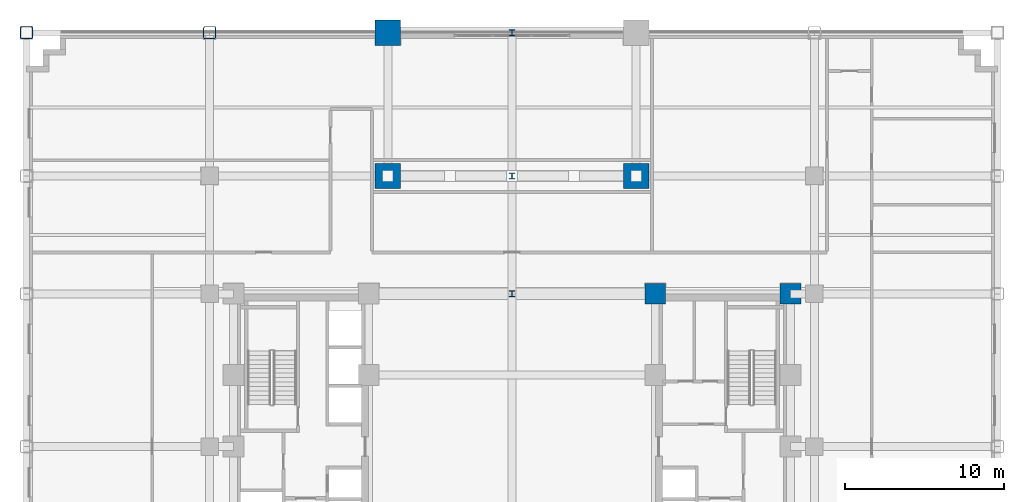
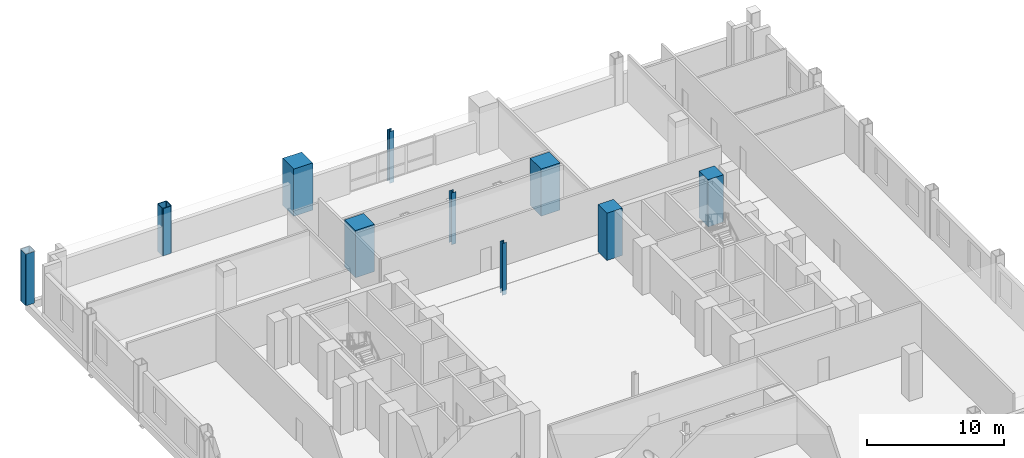
# One storey, part 3 of 17: 10 columns.
"""IFC4 building model written with IfcOpenShell, lengths in metres."""

from ifc_helpers import new_model, si_unit, direction, frame, origin, origin_2d, place, context, subcontext, project, spatial, rectangle, hollow_rectangle, i_section, extrude, material, material_profile, profile_set, type_object, element, save


model = new_model("IFC4")

# Units and contexts
model_context = context("Model", 3, precision=1e-05, world=origin(), true_north=direction((0.0, 1.0)))
body_context = subcontext(model_context, "Body", "Model", "MODEL_VIEW")
ifc_project = project(units=[si_unit("LENGTHUNIT", "METRE"), si_unit("AREAUNIT", "SQUARE_METRE"), si_unit("VOLUMEUNIT", "CUBIC_METRE"), si_unit("PLANEANGLEUNIT", "RADIAN"), si_unit("MASSUNIT", "GRAM", prefix="KILO")], contexts=[model_context])

# Site, building, storey
site_placement = place(None, origin())
site = spatial("IfcSite", under=ifc_project, at=site_placement, CompositionType="ELEMENT")
building_placement = place(site_placement, origin())
building = spatial("IfcBuilding", under=site, at=building_placement, Name="Nuvemarco Arch Tower", CompositionType="ELEMENT")
storey_placement = place(building_placement, frame((0.0, 0.0, 18.39990234375)))
storey = spatial("IfcBuildingStorey", under=building, at=storey_placement, Name="L04", CompositionType="ELEMENT", Elevation=18.39990234375)

# Columns
ifc_material_1 = material(Name="Concrete C60/75", Category="concrete")
ifc_material_profile_1 = material_profile(ifc_material_1, rectangle(XDim=1.300048828125, YDim=1.300048828125, at=origin_2d()), Name="RC-COL-1300x1300")
ifc_profile_set_1 = profile_set([ifc_material_profile_1], Name="Concrete C60/75")
column_type_1 = type_object("IfcColumnType", Name="COL-CORE-1300", PredefinedType="COLUMN", material=ifc_profile_set_1)
for number, where, z_axis, x_axis, name in (
    (1, (9.0, 9.60009765625, 0.0), (0.0, 0.0, 1.0), (1.0, 0.0, 0.0), "L04 column CC_+9.0_+9.6"),
    (2, (17.5, 9.60009765625, 0.0), (0.0, 0.0, 1.0), (1.0, 0.0, 0.0), "L04 column CC_+17.5_+9.6"),
):
    element("IfcColumn", number, at=place(storey_placement, frame(where, z_axis=z_axis, x_axis=x_axis)), inside=storey, type_object=column_type_1, Name=name, PredefinedType="COLUMN", context=body_context, shape_type="SweptSolid", body=[
        extrude(rectangle(XDim=1.300048828125, YDim=1.300048828125, at=origin_2d()), origin(), (0.0, 0.0, 1.0), 4.2001953125),
    ])
ifc_material_2 = material(Name="Steel S460", Category="steel")
ifc_material_profile_2 = material_profile(ifc_material_2, hollow_rectangle(XDim=0.800048828125, YDim=0.800048828125, WallThickness=0.054931640625, InnerFilletRadius=0.054931640625, OuterFilletRadius=0.110107421875, at=origin_2d()), Name="SHS800x800x55")
ifc_profile_set_2 = profile_set([ifc_material_profile_2], Name="Steel S460")
column_type_2 = type_object("IfcColumnType", Name="COL-EXO-800", PredefinedType="COLUMN", material=ifc_profile_set_2)
column_1_placement = place(storey_placement, frame((-30.5, 26.0, -0.39990234375), z_axis=(0.0, 0.0, 1.0), x_axis=(1.0, 0.0, 0.0)))
element("IfcColumn", 3, at=column_1_placement, inside=storey, type_object=column_type_2, Name="L04 column CP_-30.5_+26.0", PredefinedType="COLUMN", context=body_context, shape_type="SweptSolid", body=[
    extrude(hollow_rectangle(XDim=0.800048828125, YDim=0.800048828125, WallThickness=0.054931640625, InnerFilletRadius=0.054931640625, OuterFilletRadius=0.110107421875, at=origin_2d()), origin(), (0.0, 0.0, 1.0), 4.60009765625),
])
column_2_placement = place(storey_placement, frame((-19.0, 26.0, 0.0), z_axis=(0.0, 0.0, 1.0), x_axis=(1.0, 0.0, 0.0)))
element("IfcColumn", 4, at=column_2_placement, inside=storey, type_object=column_type_2, Name="L04 column CP_-19.0_+26.0", PredefinedType="COLUMN", context=body_context, shape_type="SweptSolid", body=[
    extrude(hollow_rectangle(XDim=0.800048828125, YDim=0.800048828125, WallThickness=0.054931640625, InnerFilletRadius=0.054931640625, OuterFilletRadius=0.110107421875, at=origin_2d()), origin(), (0.0, 0.0, 1.0), 4.2001953125),
])
ifc_material_profile_3 = material_profile(ifc_material_1, rectangle(XDim=1.60009765625, YDim=1.60009765625, at=origin_2d()), Name="RC-COL-1600x1600")
ifc_profile_set_3 = profile_set([ifc_material_profile_3], Name="Concrete C60/75")
column_type_3 = type_object("IfcColumnType", Name="COL-MEGA-1600", PredefinedType="COLUMN", material=ifc_profile_set_3)
for number, where, z_axis, x_axis, name in (
    (5, (-7.800048828125, 17.0, 0.0), (0.0, 0.0, 1.0), (1.0, 0.0, 0.0), "L04 column CM_-7.8_+17.0"),
    (6, (-7.800048828125, 26.0, 0.0), (0.0, 0.0, 1.0), (1.0, 0.0, 0.0), "L04 column CM_-7.8_+26.0"),
    (7, (7.800048828125, 17.0, 0.0), (0.0, 0.0, 1.0), (1.0, 0.0, 0.0), "L04 column CM_+7.8_+17.0"),
):
    element("IfcColumn", number, at=place(storey_placement, frame(where, z_axis=z_axis, x_axis=x_axis)), inside=storey, type_object=column_type_3, Name=name, PredefinedType="COLUMN", context=body_context, shape_type="SweptSolid", body=[
        extrude(rectangle(XDim=1.60009765625, YDim=1.60009765625, at=origin_2d()), origin(), (0.0, 0.0, 1.0), 4.2001953125),
    ])
ifc_material_3 = material(Name="Steel S355", Category="steel")
ifc_material_profile_4 = material_profile(ifc_material_3, i_section(OverallWidth=0.360107421875, OverallDepth=0.360107421875, WebThickness=0.0205078125, FlangeThickness=0.0205078125, FilletRadius=0.01806640625, at=origin_2d()), Name="HP360x174")
ifc_profile_set_4 = profile_set([ifc_material_profile_4], Name="Steel S355")
column_type_4 = type_object("IfcColumnType", Name="COL-STL-HP360", PredefinedType="COLUMN", material=ifc_profile_set_4)
for number, where, z_axis, x_axis, name in (
    (8, (0.0, 9.60009765625, -0.39990234375), (0.0, 0.0, 1.0), (1.0, 0.0, 0.0), "L04 column CB_0.0_+9.6"),
    (9, (0.0, 17.0, -0.39990234375), (0.0, 0.0, 1.0), (1.0, 0.0, 0.0), "L04 column CB_0.0_+17.0"),
):
    element("IfcColumn", number, at=place(storey_placement, frame(where, z_axis=z_axis, x_axis=x_axis)), inside=storey, type_object=column_type_4, Name=name, PredefinedType="COLUMN", context=body_context, shape_type="SweptSolid", body=[
        extrude(i_section(OverallWidth=0.360107421875, OverallDepth=0.360107421875, WebThickness=0.0205078125, FlangeThickness=0.0205078125, FilletRadius=0.01806640625, at=origin_2d()), origin(), (0.0, 0.0, 1.0), 4.60009765625),
    ])
ifc_material_profile_5 = material_profile(ifc_material_3, i_section(OverallWidth=0.360107421875, OverallDepth=0.360107421875, WebThickness=0.0205078125, FlangeThickness=0.0205078125, FilletRadius=0.01806640625, at=origin_2d()), Name="HP360x174")
ifc_profile_set_5 = profile_set([ifc_material_profile_5], Name="Steel S355")
column_type_5 = type_object("IfcColumnType", Name="COL-STL-HP360-EXT", PredefinedType="COLUMN", material=ifc_profile_set_5)
column_3_placement = place(storey_placement, frame((0.0, 26.0, -0.39990234375), z_axis=(0.0, 0.0, 1.0), x_axis=(1.0, 0.0, 0.0)))
element("IfcColumn", 10, at=column_3_placement, inside=storey, type_object=column_type_5, Name="L04 column CB_0.0_+26.0", PredefinedType="COLUMN", context=body_context, shape_type="SweptSolid", body=[
    extrude(i_section(OverallWidth=0.360107421875, OverallDepth=0.360107421875, WebThickness=0.0205078125, FlangeThickness=0.0205078125, FilletRadius=0.01806640625, at=origin_2d()), origin(), (0.0, 0.0, 1.0), 4.60009765625),
])

save(model, "model.ifc")
